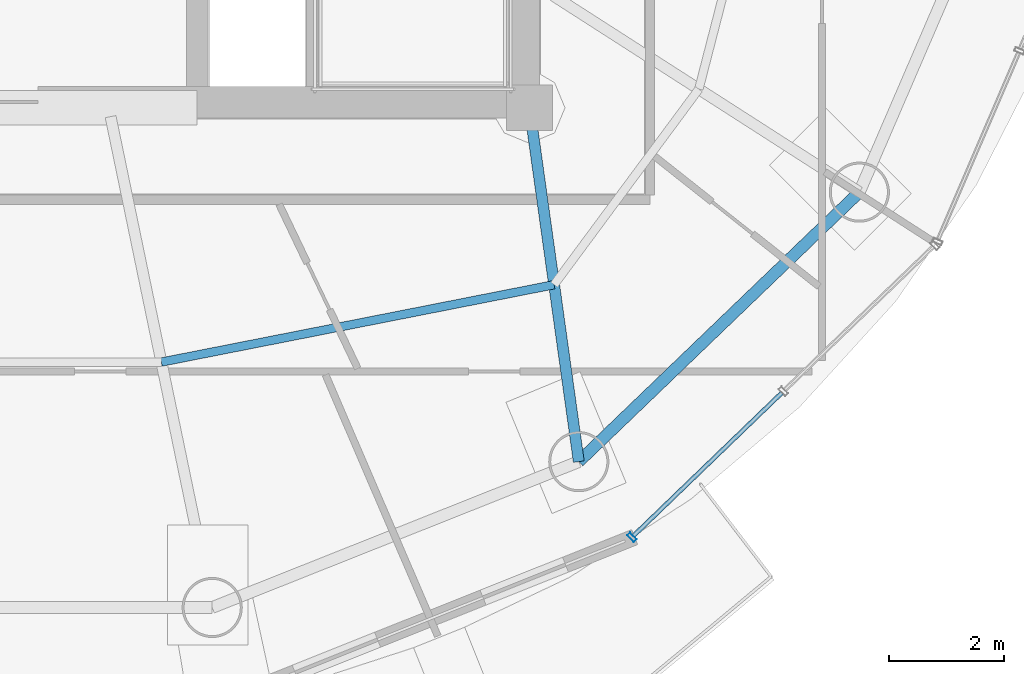
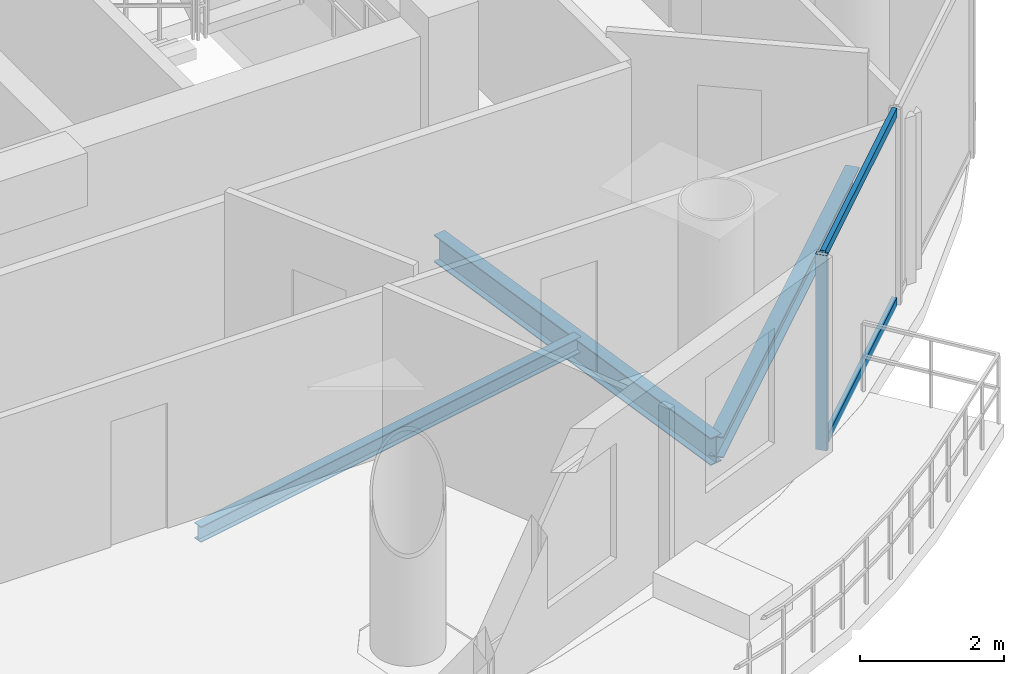
# One storey, part 6 of 23: 3 beams, 3 members, 1 element without a shape of its own.
"""IFC4 building model written with IfcOpenShell, lengths in metres."""

from ifc_helpers import new_model, si_unit, direction, frame, origin, origin_2d, place, context, subcontext, project, spatial, hollow_rectangle, i_section, extrude, source, transform, mapped, material, material_profile, profile_set, type_object, element, aggregate, save


model = new_model("IFC4")

# Units and contexts
model_context = context("Model", 3, precision=1e-05, world=origin(), true_north=direction((-0.2419218956, 0.970295726276)))
body_context = subcontext(model_context, "Body", "Model", "MODEL_VIEW")
ifc_project = project(units=[si_unit("LENGTHUNIT", "METRE"), si_unit("AREAUNIT", "SQUARE_METRE"), si_unit("VOLUMEUNIT", "CUBIC_METRE"), si_unit("PLANEANGLEUNIT", "RADIAN"), si_unit("MASSUNIT", "GRAM", prefix="KILO")], contexts=[model_context])

# Site, building, storey
site_placement = place(None, origin())
site = spatial("IfcSite", under=ifc_project, at=site_placement, CompositionType="ELEMENT")
building_placement = place(site_placement, origin())
building = spatial("IfcBuilding", under=site, at=building_placement, Name="Cobrevalo Terracotta Tower", CompositionType="ELEMENT")
storey_placement = place(building_placement, frame((0.0, 0.0, 296.949951171875)))
storey = spatial("IfcBuildingStorey", under=building, at=storey_placement, Name="L78", CompositionType="ELEMENT", Elevation=296.949951171875)

# Beams
ifc_material_1 = material(Name="Steel S355", Category="steel")
ifc_material_profile_1 = material_profile(ifc_material_1, i_section(OverallWidth=0.19091796875, OverallDepth=0.4599609375, WebThickness=0.010009765625, FlangeThickness=0.01611328125, at=origin_2d()), Name="W 460x82")
ifc_profile_set_1 = profile_set([ifc_material_profile_1], Name="Steel S355")
beam_type_1 = type_object("IfcBeamType", Name="Structural Beam W 460x82 (Steel S355)", PredefinedType="BEAM", material=ifc_profile_set_1)
beam_1_placement = place(storey_placement, frame((47.861328125, 12.62353515625, -0.489990234375), z_axis=(-0.138115657759, 0.990416107039, 0.0), x_axis=(-0.990416107039, -0.138115657759, 0.0)))
element("IfcBeam", 1, at=beam_1_placement, inside=storey, type_object=beam_type_1, Name="L78 radial floor girder 14", PredefinedType="BEAM", context=body_context, shape_type="SweptSolid", body=[
    extrude(i_section(OverallWidth=0.19091796875, OverallDepth=0.4599609375, WebThickness=0.010009765625, FlangeThickness=0.01611328125, at=origin_2d()), origin(), (0.0, 0.0, 1.0), 6.236328125),
])
ifc_material_profile_2 = material_profile(ifc_material_1, i_section(OverallWidth=0.14794921875, OverallDepth=0.26611328125, WebThickness=0.007568359375, FlangeThickness=0.012939453125, at=origin_2d()), Name="W 250x44.8")
ifc_profile_set_2 = profile_set([ifc_material_profile_2], Name="Steel S355")
beam_type_2 = type_object("IfcBeamType", Name="Structural Joist W 250x44.8 (Steel S355)", PredefinedType="JOIST", material=ifc_profile_set_2)
beam_2_placement = place(storey_placement, frame((40.57568359375, 14.361328125, -0.39306640625), z_axis=(0.981145060421, 0.193272787563, 0.0), x_axis=(-0.193272787563, 0.981145060421, 0.0)))
element("IfcBeam", 2, at=beam_2_placement, inside=storey, type_object=beam_type_2, Name="L78 circumferential secondary floor joist 13", PredefinedType="JOIST", context=body_context, shape_type="SweptSolid", body=[
    extrude(i_section(OverallWidth=0.14794921875, OverallDepth=0.26611328125, WebThickness=0.007568359375, FlangeThickness=0.012939453125, at=origin_2d()), origin(), (0.0, 0.0, 1.0), 6.98681640625),
])
ifc_material_profile_3 = material_profile(ifc_material_1, i_section(OverallWidth=0.205078125, OverallDepth=0.35400390625, WebThickness=0.009521484375, FlangeThickness=0.016845703125, at=origin_2d()), Name="W 360x79")
ifc_profile_set_3 = profile_set([ifc_material_profile_3], Name="Steel S355")
beam_type_3 = type_object("IfcBeamType", Name="Structural Spandrel W 360x79 (Steel S355)", PredefinedType="SPANDREL", material=ifc_profile_set_3)
beam_3_placement = place(storey_placement, frame((47.861328125, 12.62353515625, -0.43701171875), z_axis=(0.721183246144, 0.692744343522, 0.0), x_axis=(-0.692744343522, 0.721183246144, 0.0)))
element("IfcBeam", 3, at=beam_3_placement, inside=storey, type_object=beam_type_3, Name="L78 perimeter ring spandrel 14", PredefinedType="SPANDREL", context=body_context, shape_type="SweptSolid", body=[
    extrude(i_section(OverallWidth=0.205078125, OverallDepth=0.35400390625, WebThickness=0.009521484375, FlangeThickness=0.016845703125, at=origin_2d()), origin(), (0.0, 0.0, 1.0), 6.79052734375),
])

# Curtain wall, members
ifc_material_2 = material(Name="Anodized aluminium", Category="aluminium")
curtain_wall_type = type_object("IfcCurtainWallType", Name="Upper-tower triple-glazed penthouse curtain wall CW-U3", PredefinedType="NOTDEFINED", material=ifc_material_2)
curtain_wall_placement = place(storey_placement, origin())
curtain_wall = element("IfcCurtainWall", 4, at=curtain_wall_placement, inside=storey, type_object=curtain_wall_type, Name="L78 curtain wall CW-L78-S14", PredefinedType="NOTDEFINED")
ifc_material_profile_4 = material_profile(ifc_material_2, hollow_rectangle(XDim=0.074951171875, YDim=0.14990234375, WallThickness=0.00439453125, at=origin_2d()), Name="CWT 75x150")
ifc_profile_set_4 = profile_set([ifc_material_profile_4], Name="Anodized aluminium")
member_type_1 = type_object("IfcMemberType", Name="Tower unitised aluminium transom 75x150", PredefinedType="USERDEFINED", material=ifc_profile_set_4)
shared_shape_1 = source(origin(), body_context, "Body", "SweptSolid", [
    extrude(hollow_rectangle(XDim=0.074951171875, YDim=0.14990234375, WallThickness=0.00439453125, at=origin_2d()), origin(), (0.0, 0.0, 1.0), 3.59130859375),
])
member_1_placement = place(storey_placement, frame((48.819091796875, 11.33203125, 0.050048828125), z_axis=(0.720005628362, 0.693968223427, 0.0), x_axis=(-0.693968223427, 0.720005628362, 0.0)))
member_1 = element("IfcMember", 5, at=member_1_placement, type_object=member_type_1, Name="CW-L78-S14 transom B01-T1", ObjectType="TRANSOM", PredefinedType="USERDEFINED", context=body_context, shape_type="MappedRepresentation", body=[
    mapped(shared_shape_1, transform((0.0, 0.0, 0.0), scale=1.0)),
])
member_2_placement = place(storey_placement, frame((48.819091796875, 11.33203125, 3.25), z_axis=(0.720005628362, 0.693968223427, 0.0), x_axis=(-0.693968223427, 0.720005628362, 0.0)))
member_2 = element("IfcMember", 6, at=member_2_placement, type_object=member_type_1, Name="CW-L78-S14 transom B01-T2", ObjectType="TRANSOM", PredefinedType="USERDEFINED", context=body_context, shape_type="MappedRepresentation", body=[
    mapped(shared_shape_1, transform((0.0, 0.0, 0.0), scale=1.0)),
])
ifc_material_profile_5 = material_profile(ifc_material_2, hollow_rectangle(XDim=0.070068359375, YDim=0.169921875, WallThickness=0.00439453125, at=origin_2d()), Name="CWM 70x170")
ifc_profile_set_5 = profile_set([ifc_material_profile_5], Name="Anodized aluminium")
member_type_2 = type_object("IfcMemberType", Name="Upper tower unitised mullion 70x170", PredefinedType="MULLION", material=ifc_profile_set_5)
shared_shape_2 = source(origin(), body_context, "Body", "SweptSolid", [
    extrude(hollow_rectangle(XDim=0.070068359375, YDim=0.169921875, WallThickness=0.00439453125, at=origin_2d()), origin(), (0.0, 0.0, 1.0), 3.300048828125),
])
member_3_placement = place(storey_placement, frame((48.790283203125, 11.30419921875, 0.0), z_axis=(0.0, 0.0, 1.0), x_axis=(0.71999418085, 0.69398010025, 0.0)))
member_3 = element("IfcMember", 7, at=member_3_placement, type_object=member_type_2, Name="CW-L78-S14 vertical mullion 01", PredefinedType="MULLION", context=body_context, shape_type="MappedRepresentation", body=[
    mapped(shared_shape_2, transform((0.0, 0.0, 0.0), scale=1.0)),
])
aggregate(curtain_wall, [member_3, member_1, member_2])

save(model, "model.ifc")
